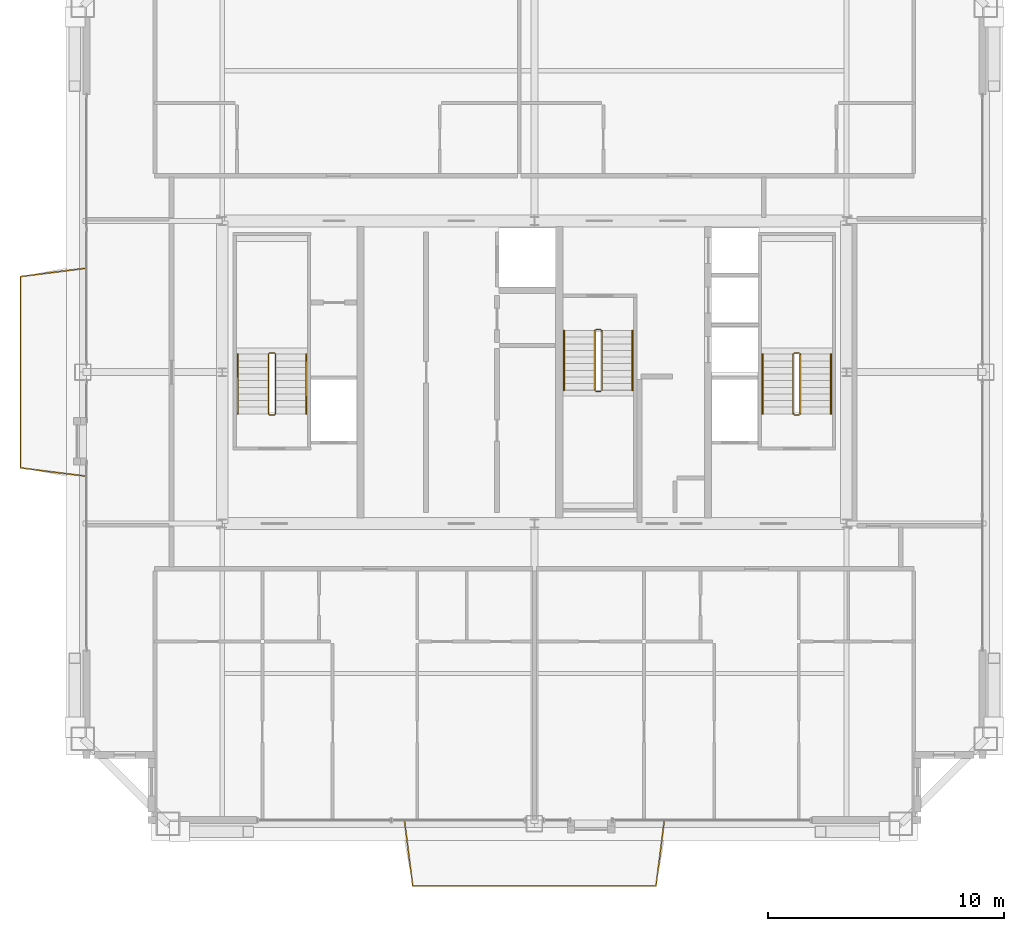
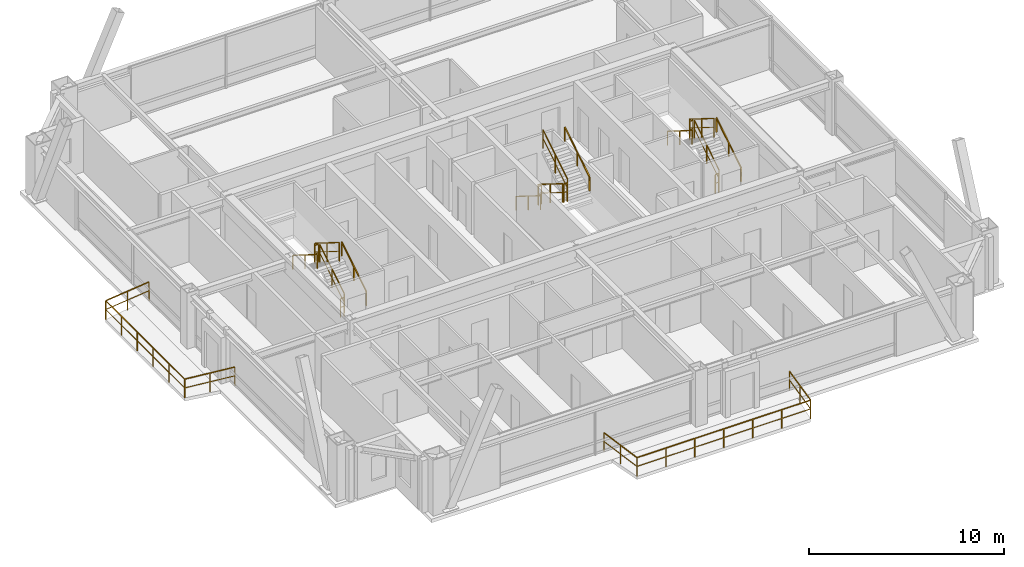
# One storey, part 33 of 33: 20 railings.
"""IFC4 building model written with IfcOpenShell, lengths in metres."""

from ifc_helpers import new_model, si_unit, direction, frame, origin, origin_2d, place, context, subcontext, project, spatial, rectangle, extrude, source, transform, mapped, material, layer, layer_set, type_object, element, save


model = new_model("IFC4")

# Units and contexts
model_context = context("Model", 3, precision=1e-05, world=origin(), true_north=direction((0.0, 1.0)))
body_context = subcontext(model_context, "Body", "Model", "MODEL_VIEW")
ifc_project = project(units=[si_unit("LENGTHUNIT", "METRE"), si_unit("AREAUNIT", "SQUARE_METRE"), si_unit("VOLUMEUNIT", "CUBIC_METRE"), si_unit("PLANEANGLEUNIT", "RADIAN"), si_unit("MASSUNIT", "GRAM", prefix="KILO"), si_unit("THERMODYNAMICTEMPERATUREUNIT", "KELVIN"), si_unit("POWERUNIT", "WATT")], contexts=[model_context])

# Site, building, storey
site_placement = place(None, origin())
site = spatial("IfcSite", under=ifc_project, at=site_placement, CompositionType="ELEMENT")
building_placement = place(site_placement, origin())
building = spatial("IfcBuilding", under=site, at=building_placement, Name="Yuzanri Waterfront Tower", CompositionType="ELEMENT")
storey_placement = place(building_placement, frame((0.0, 0.0, 321.699951171875)))
storey = spatial("IfcBuildingStorey", under=building, at=storey_placement, Name="L86", CompositionType="ELEMENT", Elevation=321.699951171875)

# Railings
ifc_material_1 = material(Name="Anodized Architectural Bronze", Category="metal")
ifc_layer_1 = layer(ifc_material_1, 0.080078125)
ifc_layer_set_1 = layer_set([ifc_layer_1], Name="Anodized Architectural Bronze")
railing_type_1 = type_object("IfcRailingType", Name="Laminated Glass and Bronze Balcony Guardrail 1200", PredefinedType="BALUSTRADE", material=ifc_layer_set_1)
shared_shape_1 = source(origin(), body_context, "Body", "SweptSolid", [
    extrude(rectangle(XDim=0.050048828125, YDim=0.050048828125, at=origin_2d()), frame((0.0, 0.0, 1.1748046875), z_axis=(0.124762852592, -0.992186590624, 0.0), x_axis=(0.992186590624, 0.124762852592, 0.0)), (0.0, 0.0, 1.0), 2.80615234375),
    extrude(rectangle(XDim=0.035888671875, YDim=0.030029296875, at=origin_2d()), frame((0.0, 0.0, 0.6240234375), z_axis=(0.124762852592, -0.992186590624, 0.0), x_axis=(0.992186590624, 0.124762852592, 0.0)), (0.0, 0.0, 1.0), 2.80615234375),
    extrude(rectangle(XDim=0.050048828125, YDim=0.050048828125, at=origin_2d()), frame((0.35009765625, -2.7841796875, 1.1748046875), z_axis=(1.0, 0.0, 0.0), x_axis=(0.0, 1.0, 0.0)), (0.0, 0.0, 1.0), 10.29296875),
    extrude(rectangle(XDim=0.035888671875, YDim=0.030029296875, at=origin_2d()), frame((0.35009765625, -2.7841796875, 0.6240234375), z_axis=(1.0, 0.0, 0.0), x_axis=(0.0, 1.0, 0.0)), (0.0, 0.0, 1.0), 10.29296875),
    extrude(rectangle(XDim=0.050048828125, YDim=0.050048828125, at=origin_2d()), frame((10.64306640625, -2.7841796875, 1.1748046875), z_axis=(0.124762852592, 0.992186590624, 0.0), x_axis=(-0.992186590624, 0.124762852592, 0.0)), (0.0, 0.0, 1.0), 2.80615234375),
    extrude(rectangle(XDim=0.035888671875, YDim=0.030029296875, at=origin_2d()), frame((10.64306640625, -2.7841796875, 0.6240234375), z_axis=(0.124762852592, 0.992186590624, 0.0), x_axis=(-0.992186590624, 0.124762852592, 0.0)), (0.0, 0.0, 1.0), 2.80615234375),
    extrude(rectangle(XDim=0.0458984375, YDim=0.0458984375, at=origin_2d()), origin(), (0.0, 0.0, 1.0), 1.14990234375),
    extrude(rectangle(XDim=0.0458984375, YDim=0.0458984375, at=origin_2d()), frame((0.175048828125, -1.39208984375, 0.0)), (0.0, 0.0, 1.0), 1.14990234375),
    extrude(rectangle(XDim=0.0458984375, YDim=0.0458984375, at=origin_2d()), frame((0.35009765625, -2.7841796875, 0.0)), (0.0, 0.0, 1.0), 1.14990234375),
    extrude(rectangle(XDim=0.0458984375, YDim=0.0458984375, at=origin_2d()), frame((2.065673828125, -2.7841796875, 0.0)), (0.0, 0.0, 1.0), 1.14990234375),
    extrude(rectangle(XDim=0.0458984375, YDim=0.0458984375, at=origin_2d()), frame((3.781005859375, -2.7841796875, 0.0)), (0.0, 0.0, 1.0), 1.14990234375),
    extrude(rectangle(XDim=0.0458984375, YDim=0.0458984375, at=origin_2d()), frame((5.49658203125, -2.7841796875, 0.0)), (0.0, 0.0, 1.0), 1.14990234375),
    extrude(rectangle(XDim=0.0458984375, YDim=0.0458984375, at=origin_2d()), frame((7.212158203125, -2.7841796875, 0.0)), (0.0, 0.0, 1.0), 1.14990234375),
    extrude(rectangle(XDim=0.0458984375, YDim=0.0458984375, at=origin_2d()), frame((8.927490234375, -2.7841796875, 0.0)), (0.0, 0.0, 1.0), 1.14990234375),
    extrude(rectangle(XDim=0.0458984375, YDim=0.0458984375, at=origin_2d()), frame((10.64306640625, -2.7841796875, 0.0)), (0.0, 0.0, 1.0), 1.14990234375),
    extrude(rectangle(XDim=0.0458984375, YDim=0.0458984375, at=origin_2d()), frame((10.818115234375, -1.39208984375, 0.0)), (0.0, 0.0, 1.0), 1.14990234375),
    extrude(rectangle(XDim=0.0458984375, YDim=0.0458984375, at=origin_2d()), frame((10.9931640625, 0.0, 0.0)), (0.0, 0.0, 1.0), 1.14990234375),
])
railing_1_placement = place(storey_placement, frame((31.50341796875, 6.85009765625, 0.0)))
element("IfcRailing", 1, at=railing_1_placement, inside=storey, type_object=railing_type_1, Name="L86 S Engawa Terrace Guardrail", PredefinedType="BALUSTRADE", context=body_context, shape_type="MappedRepresentation", body=[
    mapped(shared_shape_1, transform((0.0, 0.0, 0.0), scale=1.0)),
])
shared_shape_2 = source(origin(), body_context, "Body", "SweptSolid", [
    extrude(rectangle(XDim=0.050048828125, YDim=0.050048828125, at=origin_2d()), frame((0.0, 0.0, 1.1748046875), z_axis=(-0.992185236174, 0.124773623491, 0.0), x_axis=(-0.124773623491, -0.992185236174, 0.0)), (0.0, 0.0, 1.0), 2.805908203125),
    extrude(rectangle(XDim=0.035888671875, YDim=0.030029296875, at=origin_2d()), frame((0.0, 0.0, 0.6240234375), z_axis=(-0.992185236174, 0.124773623491, 0.0), x_axis=(-0.124773623491, -0.992185236174, 0.0)), (0.0, 0.0, 1.0), 2.805908203125),
    extrude(rectangle(XDim=0.050048828125, YDim=0.050048828125, at=origin_2d()), frame((-2.783935546875, 0.35009765625, 1.1748046875), z_axis=(0.0, 1.0, 0.0), x_axis=(-1.0, 0.0, 0.0)), (0.0, 0.0, 1.0), 8.10009765625),
    extrude(rectangle(XDim=0.035888671875, YDim=0.030029296875, at=origin_2d()), frame((-2.783935546875, 0.35009765625, 0.6240234375), z_axis=(0.0, 1.0, 0.0), x_axis=(-1.0, 0.0, 0.0)), (0.0, 0.0, 1.0), 8.10009765625),
    extrude(rectangle(XDim=0.050048828125, YDim=0.050048828125, at=origin_2d()), frame((-2.783935546875, 8.4501953125, 1.1748046875), z_axis=(0.992196004415, 0.124687965827, 0.0), x_axis=(-0.124687965827, 0.992196004415, 0.0)), (0.0, 0.0, 1.0), 2.805908203125),
    extrude(rectangle(XDim=0.035888671875, YDim=0.030029296875, at=origin_2d()), frame((-2.783935546875, 8.4501953125, 0.6240234375), z_axis=(0.992196004415, 0.124687965827, 0.0), x_axis=(-0.124687965827, 0.992196004415, 0.0)), (0.0, 0.0, 1.0), 2.805908203125),
    extrude(rectangle(XDim=0.0458984375, YDim=0.0458984375, at=origin_2d()), origin(), (0.0, 0.0, 1.0), 1.14990234375),
    extrude(rectangle(XDim=0.0458984375, YDim=0.0458984375, at=origin_2d()), frame((-1.39208984375, 0.175048828125, 0.0)), (0.0, 0.0, 1.0), 1.14990234375),
    extrude(rectangle(XDim=0.0458984375, YDim=0.0458984375, at=origin_2d()), frame((-2.783935546875, 0.35009765625, 0.0)), (0.0, 0.0, 1.0), 1.14990234375),
    extrude(rectangle(XDim=0.0458984375, YDim=0.0458984375, at=origin_2d()), frame((-2.783935546875, 1.97021484375, 0.0)), (0.0, 0.0, 1.0), 1.14990234375),
    extrude(rectangle(XDim=0.0458984375, YDim=0.0458984375, at=origin_2d()), frame((-2.783935546875, 3.590087890625, 0.0)), (0.0, 0.0, 1.0), 1.14990234375),
    extrude(rectangle(XDim=0.0458984375, YDim=0.0458984375, at=origin_2d()), frame((-2.783935546875, 5.210205078125, 0.0)), (0.0, 0.0, 1.0), 1.14990234375),
    extrude(rectangle(XDim=0.0458984375, YDim=0.0458984375, at=origin_2d()), frame((-2.783935546875, 6.830078125, 0.0)), (0.0, 0.0, 1.0), 1.14990234375),
    extrude(rectangle(XDim=0.0458984375, YDim=0.0458984375, at=origin_2d()), frame((-2.783935546875, 8.4501953125, 0.0)), (0.0, 0.0, 1.0), 1.14990234375),
    extrude(rectangle(XDim=0.0458984375, YDim=0.0458984375, at=origin_2d()), frame((-1.39208984375, 8.625, 0.0)), (0.0, 0.0, 1.0), 1.14990234375),
    extrude(rectangle(XDim=0.0458984375, YDim=0.0458984375, at=origin_2d()), frame((0.0, 8.800048828125, 0.0)), (0.0, 0.0, 1.0), 1.14990234375),
])
railing_2_placement = place(storey_placement, frame((18.050048828125, 21.39990234375, 0.0)))
element("IfcRailing", 2, at=railing_2_placement, inside=storey, type_object=railing_type_1, Name="L86 W Engawa Terrace Guardrail", PredefinedType="BALUSTRADE", context=body_context, shape_type="MappedRepresentation", body=[
    mapped(shared_shape_2, transform((0.0, 0.0, 0.0), scale=1.0)),
])
ifc_material_2 = material(Name="Painted Galvanized Fire Steel", Category="steel")
ifc_layer_2 = layer(ifc_material_2, 0.06005859375)
ifc_layer_set_2 = layer_set([ifc_layer_2], Name="Painted Galvanized Fire Steel")
railing_type_2 = type_object("IfcRailingType", Name="Painted Steel Stairwell Guardrail 1120", PredefinedType="GUARDRAIL", material=ifc_layer_set_2)
shared_shape_3 = source(origin(), body_context, "Body", "SweptSolid", [
    extrude(rectangle(XDim=0.050048828125, YDim=0.050048828125, at=origin_2d()), frame((0.0, 0.0, 1.1748046875), z_axis=(-1.0, 0.0, 0.0), x_axis=(0.0, -1.0, 0.0)), (0.0, 0.0, 1.0), 0.199951171875),
    extrude(rectangle(XDim=0.035888671875, YDim=0.030029296875, at=origin_2d()), frame((0.0, 0.0, 0.6240234375), z_axis=(-1.0, 0.0, 0.0), x_axis=(0.0, -1.0, 0.0)), (0.0, 0.0, 1.0), 0.199951171875),
    extrude(rectangle(XDim=0.0458984375, YDim=0.0458984375, at=origin_2d()), origin(), (0.0, 0.0, 1.0), 1.14990234375),
    extrude(rectangle(XDim=0.0458984375, YDim=0.0458984375, at=origin_2d()), frame((-0.199951171875, 0.0, 0.0)), (0.0, 0.0, 1.0), 1.14990234375),
])
for number, where, name in (
    (3, (26.0, 26.610107421875, 1.75), "L86 ST-01 stair guard 2"),
    (4, (26.0, 23.989990234375, 0.0), "L86 ST-01 stair guard 4"),
    (5, (48.199951171875, 26.610107421875, 1.75), "L86 ST-02 stair guard 2"),
    (6, (48.199951171875, 23.989990234375, 0.0), "L86 ST-02 stair guard 4"),
):
    element("IfcRailing", number, at=place(storey_placement, frame(where)), inside=storey, type_object=railing_type_2, Name=name, PredefinedType="GUARDRAIL", context=body_context, shape_type="MappedRepresentation", body=[
        mapped(shared_shape_3, transform((0.0, 0.0, 0.0), scale=1.0)),
    ])
shared_shape_4 = source(origin(), body_context, "Body", "SweptSolid", [
    extrude(rectangle(XDim=0.050048828125, YDim=0.050048828125, at=origin_2d()), frame((0.0, 0.0, 1.1748046875), z_axis=(0.0, 0.848007534815, 0.529984170421), x_axis=(-1.0, 0.0, 0.0)), (0.0, 0.0, 1.0), 2.9716796875),
    extrude(rectangle(XDim=0.035888671875, YDim=0.030029296875, at=origin_2d()), frame((0.0, 0.0, 0.6240234375), z_axis=(0.0, 0.848007534815, 0.529984170421), x_axis=(-1.0, 0.0, 0.0)), (0.0, 0.0, 1.0), 2.9716796875),
    extrude(rectangle(XDim=0.0458984375, YDim=0.0458984375, at=origin_2d()), origin(), (0.0, 0.0, 1.0), 1.14990234375),
    extrude(rectangle(XDim=0.0458984375, YDim=0.0458984375, at=origin_2d()), frame((0.0, 1.260009765625, 0.78759765625)), (0.0, 0.0, 1.0), 1.14990234375),
    extrude(rectangle(XDim=0.0458984375, YDim=0.0458984375, at=origin_2d()), frame((0.0, 2.52001953125, 1.574951171875)), (0.0, 0.0, 1.0), 1.14990234375),
])
for number, where, name in (
    (7, (26.050048828125, 24.0400390625, 0.175048828125), "L86 ST-01 stair guard 1"),
    (8, (48.25, 24.0400390625, 0.175048828125), "L86 ST-02 stair guard 1"),
    (9, (39.85009765625, 25.0400390625, 1.925048828125), "L86 ST-03 stair guard 3"),
):
    element("IfcRailing", number, at=place(storey_placement, frame(where)), inside=storey, type_object=railing_type_2, Name=name, PredefinedType="GUARDRAIL", context=body_context, shape_type="MappedRepresentation", body=[
        mapped(shared_shape_4, transform((0.0, 0.0, 0.0), scale=1.0)),
    ])
shared_shape_5 = source(origin(), body_context, "Body", "SweptSolid", [
    extrude(rectangle(XDim=0.050048828125, YDim=0.050048828125, at=origin_2d()), frame((0.0, 0.0, 1.1748046875), z_axis=(0.0, -0.848007534815, 0.529984170421), x_axis=(1.0, 0.0, 0.0)), (0.0, 0.0, 1.0), 2.9716796875),
    extrude(rectangle(XDim=0.035888671875, YDim=0.030029296875, at=origin_2d()), frame((0.0, 0.0, 0.6240234375), z_axis=(0.0, -0.848007534815, 0.529984170421), x_axis=(1.0, 0.0, 0.0)), (0.0, 0.0, 1.0), 2.9716796875),
    extrude(rectangle(XDim=0.0458984375, YDim=0.0458984375, at=origin_2d()), origin(), (0.0, 0.0, 1.0), 1.14990234375),
    extrude(rectangle(XDim=0.0458984375, YDim=0.0458984375, at=origin_2d()), frame((0.0, -1.260009765625, 0.78759765625)), (0.0, 0.0, 1.0), 1.14990234375),
    extrude(rectangle(XDim=0.0458984375, YDim=0.0458984375, at=origin_2d()), frame((0.0, -2.52001953125, 1.574951171875)), (0.0, 0.0, 1.0), 1.14990234375),
])
for number, where, name in (
    (10, (25.75, 26.56005859375, 1.925048828125), "L86 ST-01 stair guard 3"),
    (11, (47.949951171875, 26.56005859375, 1.925048828125), "L86 ST-02 stair guard 3"),
    (12, (39.550048828125, 27.56005859375, 0.175048828125), "L86 ST-03 stair guard 1"),
):
    element("IfcRailing", number, at=place(storey_placement, frame(where)), inside=storey, type_object=railing_type_2, Name=name, PredefinedType="GUARDRAIL", context=body_context, shape_type="MappedRepresentation", body=[
        mapped(shared_shape_5, transform((0.0, 0.0, 0.0), scale=1.0)),
    ])
ifc_material_3 = material(Name="Anodized Architectural Bronze", Category="metal")
ifc_layer_3 = layer(ifc_material_3, 0.050048828125)
ifc_layer_set_3 = layer_set([ifc_layer_3], Name="Anodized Architectural Bronze")
railing_type_3 = type_object("IfcRailingType", Name="Brushed Bronze Stair Pitch Handrail 920", PredefinedType="HANDRAIL", material=ifc_layer_set_3)
shared_shape_6 = source(origin(), body_context, "Body", "SweptSolid", [
    extrude(rectangle(XDim=0.050048828125, YDim=0.050048828125, at=origin_2d()), frame((0.0, 0.0, 0.875), z_axis=(0.0, 0.848007534815, 0.529984170421), x_axis=(-1.0, 0.0, 0.0)), (0.0, 0.0, 1.0), 2.9716796875),
    extrude(rectangle(XDim=0.0458984375, YDim=0.0458984375, at=origin_2d()), origin(), (0.0, 0.0, 1.0), 0.849853515625),
    extrude(rectangle(XDim=0.0458984375, YDim=0.0458984375, at=origin_2d()), frame((0.0, 1.260009765625, 0.78759765625)), (0.0, 0.0, 1.0), 0.849853515625),
    extrude(rectangle(XDim=0.0458984375, YDim=0.0458984375, at=origin_2d()), frame((0.0, 2.52001953125, 1.574951171875)), (0.0, 0.0, 1.0), 0.849853515625),
])
for number, where, name in (
    (13, (27.35009765625, 24.0400390625, 0.175048828125), "L86 ST-01 stair handrail 1"),
    (14, (49.550048828125, 24.0400390625, 0.175048828125), "L86 ST-02 stair handrail 1"),
    (15, (41.14990234375, 25.0400390625, 1.925048828125), "L86 ST-03 stair handrail 2"),
):
    element("IfcRailing", number, at=place(storey_placement, frame(where)), inside=storey, type_object=railing_type_3, Name=name, PredefinedType="HANDRAIL", context=body_context, shape_type="MappedRepresentation", body=[
        mapped(shared_shape_6, transform((0.0, 0.0, 0.0), scale=1.0)),
    ])
shared_shape_7 = source(origin(), body_context, "Body", "SweptSolid", [
    extrude(rectangle(XDim=0.050048828125, YDim=0.050048828125, at=origin_2d()), frame((0.0, 0.0, 0.875), z_axis=(0.0, -0.848007534815, 0.529984170421), x_axis=(1.0, 0.0, 0.0)), (0.0, 0.0, 1.0), 2.9716796875),
    extrude(rectangle(XDim=0.0458984375, YDim=0.0458984375, at=origin_2d()), origin(), (0.0, 0.0, 1.0), 0.849853515625),
    extrude(rectangle(XDim=0.0458984375, YDim=0.0458984375, at=origin_2d()), frame((0.0, -1.260009765625, 0.78759765625)), (0.0, 0.0, 1.0), 0.849853515625),
    extrude(rectangle(XDim=0.0458984375, YDim=0.0458984375, at=origin_2d()), frame((0.0, -2.52001953125, 1.574951171875)), (0.0, 0.0, 1.0), 0.849853515625),
])
for number, where, name in (
    (16, (24.449951171875, 26.56005859375, 1.925048828125), "L86 ST-01 stair handrail 2"),
    (17, (46.64990234375, 26.56005859375, 1.925048828125), "L86 ST-02 stair handrail 2"),
    (18, (38.25, 27.56005859375, 0.175048828125), "L86 ST-03 stair handrail 1"),
):
    element("IfcRailing", number, at=place(storey_placement, frame(where)), inside=storey, type_object=railing_type_3, Name=name, PredefinedType="HANDRAIL", context=body_context, shape_type="MappedRepresentation", body=[
        mapped(shared_shape_7, transform((0.0, 0.0, 0.0), scale=1.0)),
    ])
shared_shape_8 = source(origin(), body_context, "Body", "SweptSolid", [
    extrude(rectangle(XDim=0.050048828125, YDim=0.050048828125, at=origin_2d()), frame((0.0, 0.0, 1.1748046875), z_axis=(1.0, 0.0, 0.0), x_axis=(0.0, 1.0, 0.0)), (0.0, 0.0, 1.0), 0.199951171875),
    extrude(rectangle(XDim=0.035888671875, YDim=0.030029296875, at=origin_2d()), frame((0.0, 0.0, 0.6240234375), z_axis=(1.0, 0.0, 0.0), x_axis=(0.0, 1.0, 0.0)), (0.0, 0.0, 1.0), 0.199951171875),
    extrude(rectangle(XDim=0.0458984375, YDim=0.0458984375, at=origin_2d()), origin(), (0.0, 0.0, 1.0), 1.14990234375),
    extrude(rectangle(XDim=0.0458984375, YDim=0.0458984375, at=origin_2d()), frame((0.199951171875, 0.0, 0.0)), (0.0, 0.0, 1.0), 1.14990234375),
])
for number, where, name in (
    (19, (39.60009765625, 24.989990234375, 1.75), "L86 ST-03 stair guard 2"),
    (20, (39.60009765625, 27.610107421875, 0.0), "L86 ST-03 stair guard 4"),
):
    element("IfcRailing", number, at=place(storey_placement, frame(where)), inside=storey, type_object=railing_type_2, Name=name, PredefinedType="GUARDRAIL", context=body_context, shape_type="MappedRepresentation", body=[
        mapped(shared_shape_8, transform((0.0, 0.0, 0.0), scale=1.0)),
    ])

save(model, "model.ifc")
